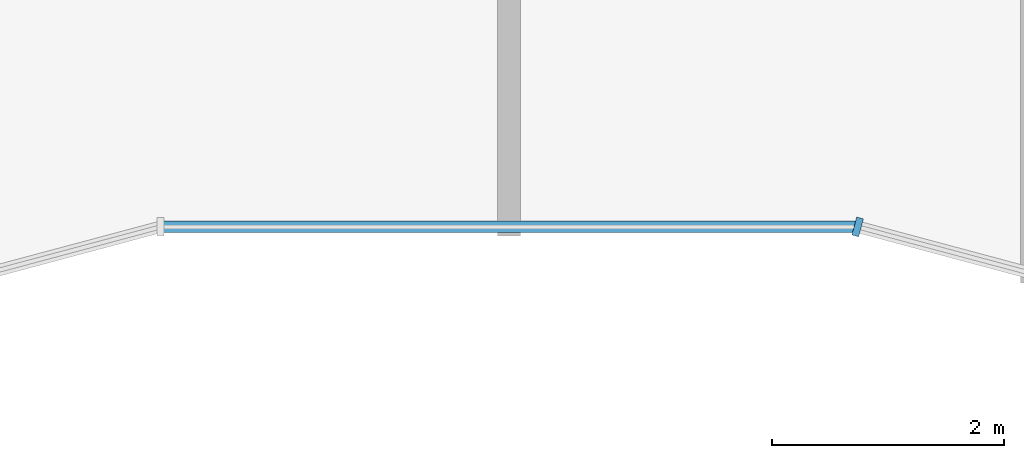
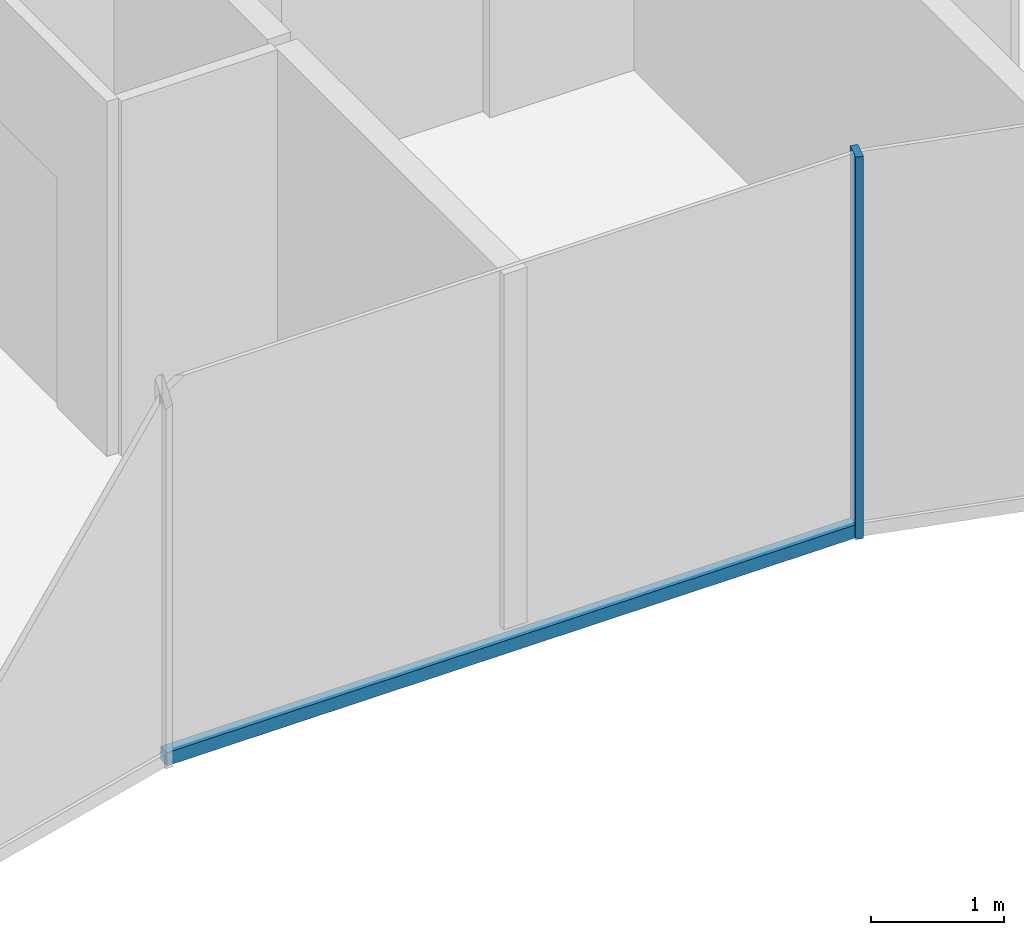
# One storey, part 3 of 10: 2 members, 2 elements without a shape of their own.
"""IFC4 building model written with IfcOpenShell, lengths in metres."""

from ifc_helpers import new_model, si_unit, direction, frame, origin, origin_2d, place, context, subcontext, project, spatial, rectangle, extrude, material, layer, layer_set, material_profile, profile_set, type_object, element, aggregate, save


model = new_model("IFC4")

# Units and contexts
model_context = context("Model", 3, precision=1e-05, world=origin(), true_north=direction((0.0, 1.0)))
body_context = subcontext(model_context, "Body", "Model", "MODEL_VIEW")
ifc_project = project(units=[si_unit("LENGTHUNIT", "METRE"), si_unit("AREAUNIT", "SQUARE_METRE"), si_unit("VOLUMEUNIT", "CUBIC_METRE"), si_unit("PLANEANGLEUNIT", "RADIAN"), si_unit("MASSUNIT", "GRAM", prefix="KILO")], contexts=[model_context])

# Site, building, storey
site_placement = place(None, origin())
site = spatial("IfcSite", under=ifc_project, at=site_placement, CompositionType="ELEMENT")
building_placement = place(site_placement, origin())
building = spatial("IfcBuilding", under=site, at=building_placement, Name="Plateau Cross Towers", CompositionType="ELEMENT")
storey_placement = place(building_placement, frame((0.0, 0.0, 245.89990234375)))
storey = spatial("IfcBuildingStorey", under=building, at=storey_placement, Name="L64", CompositionType="ELEMENT", Elevation=245.89990234375)

# Curtain wall, member
ifc_material_1 = material(Name="Dark low-iron glass", Category="glass")
ifc_layer = layer(ifc_material_1, 0.260009765625)
ifc_layer_set = layer_set([ifc_layer], Name="Dark low-iron glass")
curtain_wall_type = type_object("IfcCurtainWallType", Name="Curtain wall fluted unitised CW-A", PredefinedType="NOTDEFINED", material=ifc_layer_set)
curtain_wall_1_placement = place(storey_placement, origin())
curtain_wall_1 = element("IfcCurtainWall", 1, at=curtain_wall_1_placement, inside=storey, type_object=curtain_wall_type, Name="ENV/A/L64/A300_16", PredefinedType="NOTDEFINED")
ifc_material_2 = material(Name="Black anodised aluminium", Category="aluminium")
ifc_material_profile_1 = material_profile(ifc_material_2, rectangle(XDim=0.06005859375, YDim=0.159912109375, at=origin_2d()), Name="MULLION 60x160")
ifc_profile_set_1 = profile_set([ifc_material_profile_1], Name="Black anodised aluminium")
member_type_1 = type_object("IfcMemberType", Name="Mullion 60x160 fluted unitised", PredefinedType="MULLION", material=ifc_profile_set_1)
member_1_placement = place(storey_placement, frame((30.0, 1.60693359375, -0.25), z_axis=(0.0, 0.0, 1.0), x_axis=(0.965957983404, -0.258699003279, 0.0)))
member_1 = element("IfcMember", 2, at=member_1_placement, type_object=member_type_1, Name="CW-A mullion 1", PredefinedType="MULLION", context=body_context, shape_type="SweptSolid", body=[
    extrude(rectangle(XDim=0.06005859375, YDim=0.159912109375, at=origin_2d()), origin(), (0.0, 0.0, 1.0), 3.5),
])
aggregate(curtain_wall_1, [member_1])

curtain_wall_2_placement = place(storey_placement, origin())
curtain_wall_2 = element("IfcCurtainWall", 3, at=curtain_wall_2_placement, inside=storey, type_object=curtain_wall_type, Name="ENV/A/L64/A240_16", PredefinedType="NOTDEFINED")
ifc_material_profile_2 = material_profile(ifc_material_2, rectangle(XDim=0.10009765625, YDim=0.1201171875, at=origin_2d()), Name="TRANSOM 100x120")
ifc_profile_set_2 = profile_set([ifc_material_profile_2], Name="Black anodised aluminium")
member_type_2 = type_object("IfcMemberType", Name="Transom 100x120 fluted unitised", PredefinedType="USERDEFINED", material=ifc_profile_set_2)
member_2_placement = place(storey_placement, frame((24.0, 1.60693359375, -0.18994140625), z_axis=(1.0, 0.0, 0.0), x_axis=(0.0, 1.0, 0.0)))
member_2 = element("IfcMember", 4, at=member_2_placement, type_object=member_type_2, Name="CW-A transom", ObjectType="TRANSOM", PredefinedType="USERDEFINED", context=body_context, shape_type="SweptSolid", body=[
    extrude(rectangle(XDim=0.10009765625, YDim=0.1201171875, at=origin_2d()), origin(), (0.0, 0.0, 1.0), 6.0),
])
aggregate(curtain_wall_2, [member_2])

save(model, "model.ifc")
